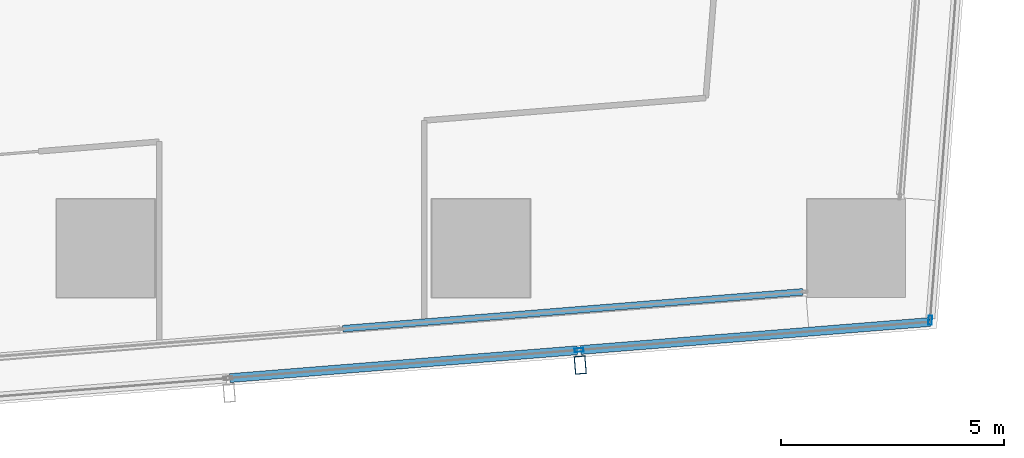
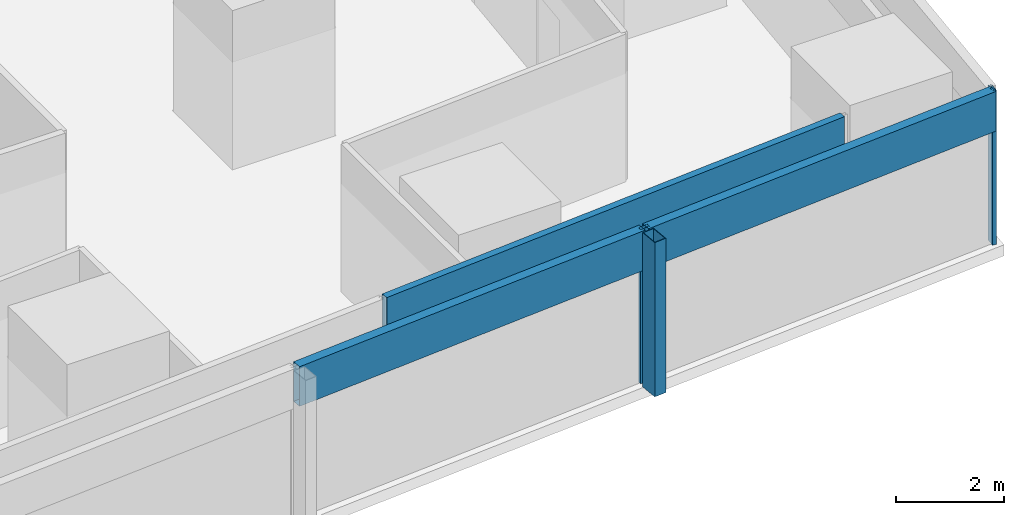
# One storey, part 11 of 45: 6 members, 3 elements without a shape of their own.
"""IFC4 building model written with IfcOpenShell, lengths in metres."""

from ifc_helpers import new_model, si_unit, direction, frame, origin, origin_2d, place, context, subcontext, project, spatial, hollow_rectangle, extrude, material, material_profile, profile_set, type_object, element, aggregate, save


model = new_model("IFC4")

# Units and contexts
model_context = context("Model", 3, precision=1e-05, world=origin(), true_north=direction((0.0, 1.0)))
body_context = subcontext(model_context, "Body", "Model", "MODEL_VIEW")
ifc_project = project(units=[si_unit("LENGTHUNIT", "METRE"), si_unit("AREAUNIT", "SQUARE_METRE"), si_unit("VOLUMEUNIT", "CUBIC_METRE"), si_unit("PLANEANGLEUNIT", "RADIAN"), si_unit("MASSUNIT", "GRAM", prefix="KILO")], contexts=[model_context])

# Site, building, storey
site_placement = place(None, origin())
site = spatial("IfcSite", under=ifc_project, at=site_placement, CompositionType="ELEMENT")
building_placement = place(site_placement, origin())
building = spatial("IfcBuilding", under=site, at=building_placement, Name="Rekha Terrace Tower", CompositionType="ELEMENT")
storey_placement = place(building_placement, frame((0.0, 0.0, 36.64990234375)))
storey = spatial("IfcBuildingStorey", under=building, at=storey_placement, Name="L08", CompositionType="ELEMENT", Elevation=36.64990234375)

# Curtain wall, member
ifc_material_1 = material(Name="Aluminium framing", Category="aluminium")
curtain_wall_type_1 = type_object("IfcCurtainWallType", Name="CW2 double skin outer glazing", PredefinedType="USERDEFINED", material=ifc_material_1)
curtain_wall_1_placement = place(storey_placement, origin())
curtain_wall_1 = element("IfcCurtainWall", 1, at=curtain_wall_1_placement, inside=storey, type_object=curtain_wall_type_1, Name="CW2 double skin outer glazing", ObjectType="DOUBLE SKIN OUTER GLAZING", PredefinedType="USERDEFINED")
ifc_material_2 = material(Name="Steel S355 with fluorocarbon finish", Category="steel")
ifc_material_profile_1 = material_profile(ifc_material_2, hollow_rectangle(XDim=0.25, YDim=0.39990234375, WallThickness=0.012451171875, at=origin_2d()), Name="RHS400x250x12.5")
ifc_profile_set_1 = profile_set([ifc_material_profile_1], Name="Steel S355 with fluorocarbon finish")
member_type_1 = type_object("IfcMemberType", Name="BL1 facade blade RHS 400 x 250", PredefinedType="USERDEFINED", material=ifc_profile_set_1)
member_1_placement = place(storey_placement, frame((61.022705078125, 5.78515625, 0.0), z_axis=(0.0, 0.0, 1.0), x_axis=(0.996805139821, 0.079871855039, 0.0)))
member_1 = element("IfcMember", 2, at=member_1_placement, type_object=member_type_1, Name="Facade blade", ObjectType="FACADE BLADE", PredefinedType="USERDEFINED", context=body_context, shape_type="SweptSolid", body=[
    extrude(hollow_rectangle(XDim=0.25, YDim=0.39990234375, WallThickness=0.012451171875, at=origin_2d()), origin(), (0.0, 0.0, 1.0), 3.5),
])

curtain_wall_type_2 = type_object("IfcCurtainWallType", Name="CW1 double skin inner glazing", PredefinedType="USERDEFINED", material=ifc_material_1)
curtain_wall_2_placement = place(storey_placement, origin())
curtain_wall_2 = element("IfcCurtainWall", 3, at=curtain_wall_2_placement, inside=storey, type_object=curtain_wall_type_2, Name="CW1 double skin inner glazing", ObjectType="DOUBLE SKIN INNER GLAZING", PredefinedType="USERDEFINED")
ifc_material_3 = material(Name="Insulated aluminium spandrel box", Category="aluminium")
ifc_material_profile_2 = material_profile(ifc_material_3, hollow_rectangle(XDim=0.14990234375, YDim=0.89990234375, WallThickness=0.0029296875, at=origin_2d()), Name="AL SPANDREL BOX 150x900")
ifc_profile_set_2 = profile_set([ifc_material_profile_2], Name="Insulated aluminium spandrel box")
member_type_2 = type_object("IfcMemberType", Name="CW1 spandrel transom 150 x 900", PredefinedType="USERDEFINED", material=ifc_profile_set_2)
member_2_placement = place(storey_placement, frame((55.704345703125, 6.59814453125, 3.050048828125), z_axis=(0.996806184606, 0.079858814989, 0.0), x_axis=(-0.079858814989, 0.996806184606, 0.0)))
member_2 = element("IfcMember", 4, at=member_2_placement, type_object=member_type_2, Name="CW1 spandrel transom 2", ObjectType="TRANSOM", PredefinedType="USERDEFINED", context=body_context, shape_type="SweptSolid", body=[
    extrude(hollow_rectangle(XDim=0.14990234375, YDim=0.89990234375, WallThickness=0.0029296875, at=origin_2d()), origin(), (0.0, 0.0, 1.0), 10.336181640625),
])
aggregate(curtain_wall_2, [member_2])

# Member
ifc_material_4 = material(Name="Aluminium mullion section", Category="aluminium")
ifc_material_profile_3 = material_profile(ifc_material_4, hollow_rectangle(XDim=0.080078125, YDim=0.199951171875, WallThickness=0.00390625, at=origin_2d()), Name="AL RHS 80x200")
ifc_profile_set_3 = profile_set([ifc_material_profile_3], Name="Aluminium mullion section")
member_type_3 = type_object("IfcMemberType", Name="CW2 mullion RHS 80 x 200", PredefinedType="MULLION", material=ifc_profile_set_3)
member_3_placement = place(storey_placement, frame((60.99609375, 6.119140625, 0.0), z_axis=(0.0, 0.0, 1.0), x_axis=(-0.079872204468, 0.996805111821, 0.0)))
member_3 = element("IfcMember", 5, at=member_3_placement, type_object=member_type_3, Name="CW2 mullion 3", PredefinedType="MULLION", context=body_context, shape_type="SweptSolid", body=[
    extrude(hollow_rectangle(XDim=0.080078125, YDim=0.199951171875, WallThickness=0.00390625, at=origin_2d()), origin(), (0.0, 0.0, 1.0), 3.5),
])

# Curtain wall, member
curtain_wall_3_placement = place(storey_placement, origin())
curtain_wall_3 = element("IfcCurtainWall", 6, at=curtain_wall_3_placement, inside=storey, type_object=curtain_wall_type_1, Name="CW2 double skin outer glazing", ObjectType="DOUBLE SKIN OUTER GLAZING", PredefinedType="USERDEFINED")
member_4_placement = place(storey_placement, frame((68.8544921875, 6.78857421875, 0.0), z_axis=(0.0, 0.0, 1.0), x_axis=(-0.996865392575, 0.079116301017, 0.0)))
member_4 = element("IfcMember", 7, at=member_4_placement, type_object=member_type_3, Name="CW2 mullion 1", PredefinedType="MULLION", context=body_context, shape_type="SweptSolid", body=[
    extrude(hollow_rectangle(XDim=0.080078125, YDim=0.199951171875, WallThickness=0.00390625, at=origin_2d()), origin(), (0.0, 0.0, 1.0), 3.5),
])
aggregate(curtain_wall_3, [member_4])

# Member
ifc_material_profile_4 = material_profile(ifc_material_3, hollow_rectangle(XDim=0.199951171875, YDim=0.89990234375, WallThickness=0.0029296875, at=origin_2d()), Name="AL SPANDREL BOX 200x900")
ifc_profile_set_4 = profile_set([ifc_material_profile_4], Name="Insulated aluminium spandrel box")
member_type_4 = type_object("IfcMemberType", Name="CW2 spandrel transom 200 x 900", PredefinedType="USERDEFINED", material=ifc_profile_set_4)
member_5_placement = place(storey_placement, frame((53.1806640625, 5.492919921875, 3.050048828125), z_axis=(0.996804920132, 0.079874596715, 0.0), x_axis=(-0.079874596715, 0.996804920132, 0.0)))
member_5 = element("IfcMember", 8, at=member_5_placement, type_object=member_type_4, Name="CW2 spandrel transom 2", ObjectType="TRANSOM", PredefinedType="USERDEFINED", context=body_context, shape_type="SweptSolid", body=[
    extrude(hollow_rectangle(XDim=0.199951171875, YDim=0.89990234375, WallThickness=0.0029296875, at=origin_2d()), origin(), (0.0, 0.0, 1.0), 7.80029296875),
])

member_6_placement = place(storey_placement, frame((61.035888671875, 6.122314453125, 3.050048828125), z_axis=(0.996805270739, 0.07987022115, 0.0), x_axis=(-0.07987022115, 0.996805270739, 0.0)))
member_6 = element("IfcMember", 9, at=member_6_placement, type_object=member_type_4, Name="CW2 spandrel transom 3", ObjectType="TRANSOM", PredefinedType="USERDEFINED", context=body_context, shape_type="SweptSolid", body=[
    extrude(hollow_rectangle(XDim=0.199951171875, YDim=0.89990234375, WallThickness=0.0029296875, at=origin_2d()), origin(), (0.0, 0.0, 1.0), 7.840576171875),
])

aggregate(curtain_wall_1, [member_3, member_5, member_6, member_1])

save(model, "model.ifc")
